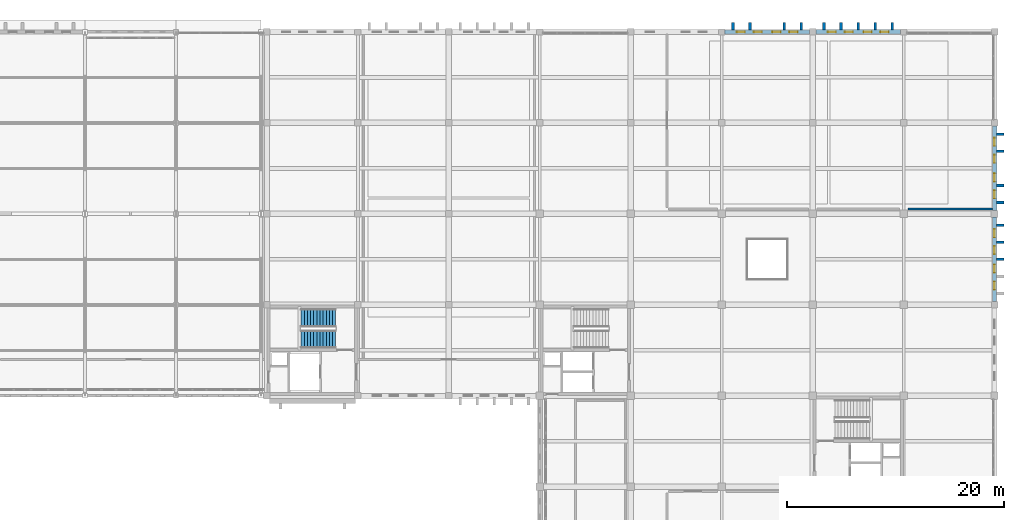
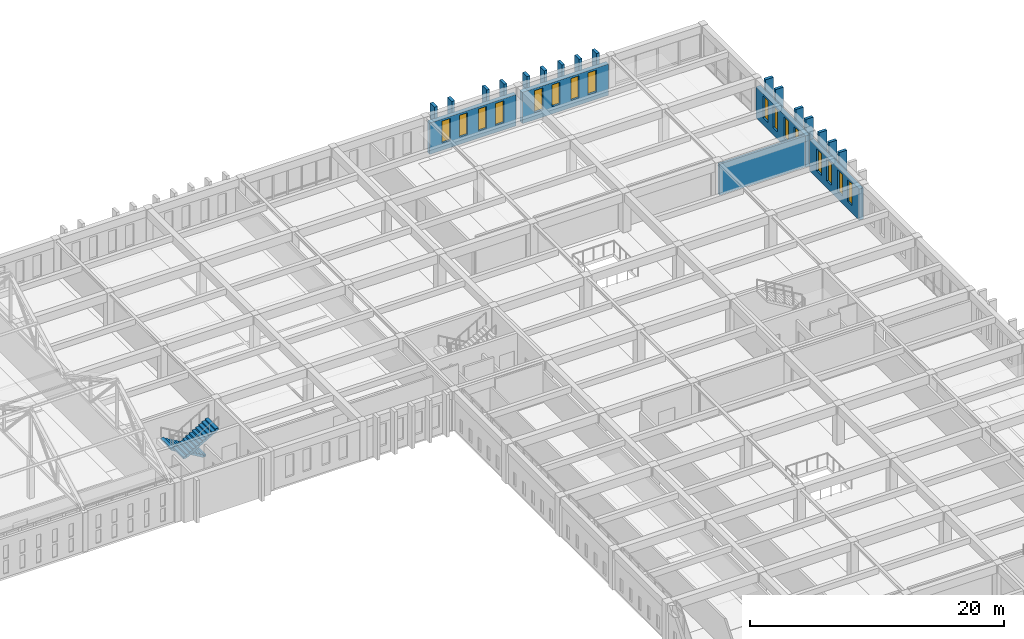
# One storey, part 100 of 110: 21 walls, 16 windows, 2 stair flights, 16 openings, 1 element without a shape of its own.
"""IFC4 building model written with IfcOpenShell, lengths in metres."""

from ifc_helpers import new_model, si_unit, direction, frame, frame_2d, origin, place, context, subcontext, project, spatial, polyline, rectangle, outline, extrude, material, layer, layer_set, type_object, element, fill, aggregate, save


model = new_model("IFC4")

# Units and contexts
model_context = context("Model", 3, precision=1e-05, world=origin(), true_north=direction((0.0, 1.0)))
body_context = subcontext(model_context, "Body", "Model", "MODEL_VIEW")
ifc_project = project(units=[si_unit("LENGTHUNIT", "METRE"), si_unit("AREAUNIT", "SQUARE_METRE"), si_unit("VOLUMEUNIT", "CUBIC_METRE"), si_unit("PLANEANGLEUNIT", "RADIAN"), si_unit("MASSUNIT", "GRAM", prefix="KILO")], contexts=[model_context])

# Site, building, storey
site_placement = place(None, origin())
site = spatial("IfcSite", under=ifc_project, at=site_placement, CompositionType="ELEMENT")
building_placement = place(site_placement, origin())
building = spatial("IfcBuilding", under=site, at=building_placement, Name="Kveldsbrygga Polytechnic", CompositionType="ELEMENT")
storey_placement = place(building_placement, frame((0.0, 0.0, 9.860107421875)))
storey = spatial("IfcBuildingStorey", under=building, at=storey_placement, Name="L02", CompositionType="ELEMENT", Elevation=9.860107421875)

# Wall, openings, windows
ifc_material_1 = material(Name="Fired clay brick masonry M10", Category="masonry")
ifc_layer_1 = layer(ifc_material_1, 0.3798828125)
ifc_layer_set_1 = layer_set([ifc_layer_1], Name="Fired clay brick masonry M10")
wall_type_1 = type_object("IfcWallType", Name="EW-BRICK-380", PredefinedType="SOLIDWALL", material=ifc_layer_set_1)
wall_1_placement = place(storey_placement, frame((143.074951171875, 117.60009765625, 0.0), z_axis=(0.0, 0.0, 1.0), x_axis=(1.0, 0.0, 0.0)))
wall_1 = element("IfcWall", 1, at=wall_1_placement, inside=storey, type_object=wall_type_1, Name="Exterior Brick Wall EW-L02-X-17-14", PredefinedType="SOLIDWALL", context=body_context, shape_type="SweptSolid", body=[
    extrude(rectangle(XDim=7.840087890625, YDim=0.3798828125, at=frame_2d((3.919921875, 0.0))), origin(), (0.0, 0.0, 1.0), 3.010009765625),
])
opening_1_placement = place(wall_1_placement, frame((1.114501953125, 0.0, 0.699951171875)))
opening_1 = element("IfcOpeningElement", 2, at=opening_1_placement, cuts=wall_1, Name="Opening W-27", PredefinedType="OPENING", context=body_context, shape_type="SweptSolid", body=[
    extrude(rectangle(XDim=0.75, YDim=2.10009765625, at=frame_2d((0.375, 1.050048828125))), frame((0.0, 0.199951171875, 0.0), z_axis=(0.0, -1.0, 0.0), x_axis=(1.0, 0.0, 0.0)), (0.0, 0.0, 1.0), 0.39990234375),
])
opening_2_placement = place(wall_1_placement, frame((2.6826171875, 0.0, 0.699951171875)))
opening_2 = element("IfcOpeningElement", 3, at=opening_2_placement, cuts=wall_1, Name="Opening W-27", PredefinedType="OPENING", context=body_context, shape_type="SweptSolid", body=[
    extrude(rectangle(XDim=0.75, YDim=2.10009765625, at=frame_2d((0.375, 1.050048828125))), frame((0.0, 0.199951171875, 0.0), z_axis=(0.0, -1.0, 0.0), x_axis=(1.0, 0.0, 0.0)), (0.0, 0.0, 1.0), 0.39990234375),
])
opening_3_placement = place(wall_1_placement, frame((4.407470703125, 0.0, 0.699951171875)))
opening_3 = element("IfcOpeningElement", 4, at=opening_3_placement, cuts=wall_1, Name="Opening W-27", PredefinedType="OPENING", context=body_context, shape_type="SweptSolid", body=[
    extrude(rectangle(XDim=0.75, YDim=2.10009765625, at=frame_2d((0.375, 1.050048828125))), frame((0.0, 0.199951171875, 0.0), z_axis=(0.0, -1.0, 0.0), x_axis=(1.0, 0.0, 0.0)), (0.0, 0.0, 1.0), 0.39990234375),
])
opening_4_placement = place(wall_1_placement, frame((5.975341796875, 0.0, 0.699951171875)))
opening_4 = element("IfcOpeningElement", 5, at=opening_4_placement, cuts=wall_1, Name="Opening W-27", PredefinedType="OPENING", context=body_context, shape_type="SweptSolid", body=[
    extrude(rectangle(XDim=0.75, YDim=2.10009765625, at=frame_2d((0.375, 1.050048828125))), frame((0.0, 0.199951171875, 0.0), z_axis=(0.0, -1.0, 0.0), x_axis=(1.0, 0.0, 0.0)), (0.0, 0.0, 1.0), 0.39990234375),
])
ifc_material_2 = material(Name="Insulated triple low-E glass", Category="glass")
window_type = type_object("IfcWindowType", Name="WN-ATTIC-075x210", PartitioningType="DOUBLE_PANEL_VERTICAL", PredefinedType="WINDOW", material=ifc_material_2)
window_1_placement = place(opening_1_placement, origin())
window_1 = element("IfcWindow", 6, at=window_1_placement, inside=storey, type_object=window_type, Name="Gothic Lancet Window WIN-L02-X-17-14-1", OverallHeight=2.10009765625, OverallWidth=0.75, PartitioningType="DOUBLE_PANEL_VERTICAL", PredefinedType="WINDOW", context=body_context, shape_type="SweptSolid", body=[
    extrude(rectangle(XDim=0.75, YDim=2.10009765625, at=frame_2d((0.375, 1.050048828125))), frame((0.0, 0.030029296875, 0.0), z_axis=(0.0, -1.0, 0.0), x_axis=(1.0, 0.0, 0.0)), (0.0, 0.0, 1.0), 0.06005859375),
])
fill(opening_1, window_1)
window_2_placement = place(opening_2_placement, origin())
window_2 = element("IfcWindow", 7, at=window_2_placement, inside=storey, type_object=window_type, Name="Gothic Lancet Window WIN-L02-X-17-14-2", OverallHeight=2.10009765625, OverallWidth=0.75, PartitioningType="DOUBLE_PANEL_VERTICAL", PredefinedType="WINDOW", context=body_context, shape_type="SweptSolid", body=[
    extrude(rectangle(XDim=0.75, YDim=2.10009765625, at=frame_2d((0.375, 1.050048828125))), frame((0.0, 0.030029296875, 0.0), z_axis=(0.0, -1.0, 0.0), x_axis=(1.0, 0.0, 0.0)), (0.0, 0.0, 1.0), 0.06005859375),
])
fill(opening_2, window_2)
window_3_placement = place(opening_3_placement, origin())
window_3 = element("IfcWindow", 8, at=window_3_placement, inside=storey, type_object=window_type, Name="Gothic Lancet Window WIN-L02-X-17-14-3", OverallHeight=2.10009765625, OverallWidth=0.75, PartitioningType="DOUBLE_PANEL_VERTICAL", PredefinedType="WINDOW", context=body_context, shape_type="SweptSolid", body=[
    extrude(rectangle(XDim=0.75, YDim=2.10009765625, at=frame_2d((0.375, 1.050048828125))), frame((0.0, 0.030029296875, 0.0), z_axis=(0.0, -1.0, 0.0), x_axis=(1.0, 0.0, 0.0)), (0.0, 0.0, 1.0), 0.06005859375),
])
fill(opening_3, window_3)
window_4_placement = place(opening_4_placement, origin())
window_4 = element("IfcWindow", 9, at=window_4_placement, inside=storey, type_object=window_type, Name="Gothic Lancet Window WIN-L02-X-17-14-4", OverallHeight=2.10009765625, OverallWidth=0.75, PartitioningType="DOUBLE_PANEL_VERTICAL", PredefinedType="WINDOW", context=body_context, shape_type="SweptSolid", body=[
    extrude(rectangle(XDim=0.75, YDim=2.10009765625, at=frame_2d((0.375, 1.050048828125))), frame((0.0, 0.030029296875, 0.0), z_axis=(0.0, -1.0, 0.0), x_axis=(1.0, 0.0, 0.0)), (0.0, 0.0, 1.0), 0.06005859375),
])
fill(opening_4, window_4)

wall_2_placement = place(storey_placement, frame((168.0, 92.695068359375, 0.0), z_axis=(0.0, 0.0, 1.0), x_axis=(0.0, 1.0, 0.0)))
wall_2 = element("IfcWall", 10, at=wall_2_placement, inside=storey, type_object=wall_type_1, Name="Exterior Brick Wall EW-L02-Y-20-11", PredefinedType="SOLIDWALL", context=body_context, shape_type="SweptSolid", body=[
    extrude(rectangle(XDim=7.794921875, YDim=0.3798828125, at=frame_2d((3.8974609375, 0.0))), origin(), (0.0, 0.0, 1.0), 3.0),
])
opening_5_placement = place(wall_2_placement, frame((1.10595703125, 0.0, 0.699951171875)))
opening_5 = element("IfcOpeningElement", 11, at=opening_5_placement, cuts=wall_2, Name="Opening W-27", PredefinedType="OPENING", context=body_context, shape_type="SweptSolid", body=[
    extrude(rectangle(XDim=0.75, YDim=2.10009765625, at=frame_2d((0.375, 1.050048828125))), frame((0.0, 0.199951171875, 0.0), z_axis=(0.0, -1.0, 0.0), x_axis=(1.0, 0.0, 0.0)), (0.0, 0.0, 1.0), 0.39990234375),
])
opening_6_placement = place(wall_2_placement, frame((2.6650390625, 0.0, 0.699951171875)))
opening_6 = element("IfcOpeningElement", 12, at=opening_6_placement, cuts=wall_2, Name="Opening W-27", PredefinedType="OPENING", context=body_context, shape_type="SweptSolid", body=[
    extrude(rectangle(XDim=0.75, YDim=2.10009765625, at=frame_2d((0.375, 1.050048828125))), frame((0.0, 0.199951171875, 0.0), z_axis=(0.0, -1.0, 0.0), x_axis=(1.0, 0.0, 0.0)), (0.0, 0.0, 1.0), 0.39990234375),
])
opening_7_placement = place(wall_2_placement, frame((4.3798828125, 0.0, 0.699951171875)))
opening_7 = element("IfcOpeningElement", 13, at=opening_7_placement, cuts=wall_2, Name="Opening W-27", PredefinedType="OPENING", context=body_context, shape_type="SweptSolid", body=[
    extrude(rectangle(XDim=0.75, YDim=2.10009765625, at=frame_2d((0.375, 1.050048828125))), frame((0.0, 0.199951171875, 0.0), z_axis=(0.0, -1.0, 0.0), x_axis=(1.0, 0.0, 0.0)), (0.0, 0.0, 1.0), 0.39990234375),
])
opening_8_placement = place(wall_2_placement, frame((5.93896484375, 0.0, 0.699951171875)))
opening_8 = element("IfcOpeningElement", 14, at=opening_8_placement, cuts=wall_2, Name="Opening W-27", PredefinedType="OPENING", context=body_context, shape_type="SweptSolid", body=[
    extrude(rectangle(XDim=0.75, YDim=2.10009765625, at=frame_2d((0.375, 1.050048828125))), frame((0.0, 0.199951171875, 0.0), z_axis=(0.0, -1.0, 0.0), x_axis=(1.0, 0.0, 0.0)), (0.0, 0.0, 1.0), 0.39990234375),
])
window_5_placement = place(opening_5_placement, origin())
window_5 = element("IfcWindow", 15, at=window_5_placement, inside=storey, type_object=window_type, Name="Gothic Lancet Window WIN-L02-Y-20-11-1", OverallHeight=2.10009765625, OverallWidth=0.75, PartitioningType="DOUBLE_PANEL_VERTICAL", PredefinedType="WINDOW", context=body_context, shape_type="SweptSolid", body=[
    extrude(rectangle(XDim=0.75, YDim=2.10009765625, at=frame_2d((0.375, 1.050048828125))), frame((0.0, 0.030029296875, 0.0), z_axis=(0.0, -1.0, 0.0), x_axis=(1.0, 0.0, 0.0)), (0.0, 0.0, 1.0), 0.06005859375),
])
fill(opening_5, window_5)
window_6_placement = place(opening_6_placement, origin())
window_6 = element("IfcWindow", 16, at=window_6_placement, inside=storey, type_object=window_type, Name="Gothic Lancet Window WIN-L02-Y-20-11-2", OverallHeight=2.10009765625, OverallWidth=0.75, PartitioningType="DOUBLE_PANEL_VERTICAL", PredefinedType="WINDOW", context=body_context, shape_type="SweptSolid", body=[
    extrude(rectangle(XDim=0.75, YDim=2.10009765625, at=frame_2d((0.375, 1.050048828125))), frame((0.0, 0.030029296875, 0.0), z_axis=(0.0, -1.0, 0.0), x_axis=(1.0, 0.0, 0.0)), (0.0, 0.0, 1.0), 0.06005859375),
])
fill(opening_6, window_6)
window_7_placement = place(opening_7_placement, origin())
window_7 = element("IfcWindow", 17, at=window_7_placement, inside=storey, type_object=window_type, Name="Gothic Lancet Window WIN-L02-Y-20-11-3", OverallHeight=2.10009765625, OverallWidth=0.75, PartitioningType="DOUBLE_PANEL_VERTICAL", PredefinedType="WINDOW", context=body_context, shape_type="SweptSolid", body=[
    extrude(rectangle(XDim=0.75, YDim=2.10009765625, at=frame_2d((0.375, 1.050048828125))), frame((0.0, 0.030029296875, 0.0), z_axis=(0.0, -1.0, 0.0), x_axis=(1.0, 0.0, 0.0)), (0.0, 0.0, 1.0), 0.06005859375),
])
fill(opening_7, window_7)
window_8_placement = place(opening_8_placement, origin())
window_8 = element("IfcWindow", 18, at=window_8_placement, inside=storey, type_object=window_type, Name="Gothic Lancet Window WIN-L02-Y-20-11-4", OverallHeight=2.10009765625, OverallWidth=0.75, PartitioningType="DOUBLE_PANEL_VERTICAL", PredefinedType="WINDOW", context=body_context, shape_type="SweptSolid", body=[
    extrude(rectangle(XDim=0.75, YDim=2.10009765625, at=frame_2d((0.375, 1.050048828125))), frame((0.0, 0.030029296875, 0.0), z_axis=(0.0, -1.0, 0.0), x_axis=(1.0, 0.0, 0.0)), (0.0, 0.0, 1.0), 0.06005859375),
])
fill(opening_8, window_8)

ifc_layer_2 = layer(ifc_material_1, 0.39990234375)
ifc_layer_set_2 = layer_set([ifc_layer_2], Name="Fired clay brick masonry M10")
wall_type_2 = type_object("IfcWallType", Name="EW-BRICK-400", PredefinedType="SOLIDWALL", material=ifc_layer_set_2)
wall_3_placement = place(storey_placement, frame((151.485107421875, 117.60009765625, 0.0), z_axis=(0.0, 0.0, 1.0), x_axis=(1.0, 0.0, 0.0)))
wall_3 = element("IfcWall", 19, at=wall_3_placement, inside=storey, type_object=wall_type_2, Name="Exterior Brick Wall EW-L02-X-18-14", PredefinedType="SOLIDWALL", context=body_context, shape_type="SweptSolid", body=[
    extrude(rectangle(XDim=7.83984375, YDim=0.39990234375, at=frame_2d((3.919921875, 0.0))), origin(), (0.0, 0.0, 1.0), 3.010009765625),
])
opening_9_placement = place(wall_3_placement, frame((1.114501953125, 0.0, 0.699951171875)))
opening_9 = element("IfcOpeningElement", 20, at=opening_9_placement, cuts=wall_3, Name="Opening W-27", PredefinedType="OPENING", context=body_context, shape_type="SweptSolid", body=[
    extrude(rectangle(XDim=0.75, YDim=2.10009765625, at=frame_2d((0.375, 1.050048828125))), frame((0.0, 0.2099609375, 0.0), z_axis=(0.0, -1.0, 0.0), x_axis=(1.0, 0.0, 0.0)), (0.0, 0.0, 1.0), 0.419921875),
])
opening_10_placement = place(wall_3_placement, frame((2.6826171875, 0.0, 0.699951171875)))
opening_10 = element("IfcOpeningElement", 21, at=opening_10_placement, cuts=wall_3, Name="Opening W-27", PredefinedType="OPENING", context=body_context, shape_type="SweptSolid", body=[
    extrude(rectangle(XDim=0.75, YDim=2.10009765625, at=frame_2d((0.375, 1.050048828125))), frame((0.0, 0.2099609375, 0.0), z_axis=(0.0, -1.0, 0.0), x_axis=(1.0, 0.0, 0.0)), (0.0, 0.0, 1.0), 0.419921875),
])
opening_11_placement = place(wall_3_placement, frame((4.407470703125, 0.0, 0.699951171875)))
opening_11 = element("IfcOpeningElement", 22, at=opening_11_placement, cuts=wall_3, Name="Opening W-27", PredefinedType="OPENING", context=body_context, shape_type="SweptSolid", body=[
    extrude(rectangle(XDim=0.75, YDim=2.10009765625, at=frame_2d((0.375, 1.050048828125))), frame((0.0, 0.2099609375, 0.0), z_axis=(0.0, -1.0, 0.0), x_axis=(1.0, 0.0, 0.0)), (0.0, 0.0, 1.0), 0.419921875),
])
opening_12_placement = place(wall_3_placement, frame((5.975341796875, 0.0, 0.699951171875)))
opening_12 = element("IfcOpeningElement", 23, at=opening_12_placement, cuts=wall_3, Name="Opening W-27", PredefinedType="OPENING", context=body_context, shape_type="SweptSolid", body=[
    extrude(rectangle(XDim=0.75, YDim=2.10009765625, at=frame_2d((0.375, 1.050048828125))), frame((0.0, 0.2099609375, 0.0), z_axis=(0.0, -1.0, 0.0), x_axis=(1.0, 0.0, 0.0)), (0.0, 0.0, 1.0), 0.419921875),
])
window_9_placement = place(opening_9_placement, origin())
window_9 = element("IfcWindow", 24, at=window_9_placement, inside=storey, type_object=window_type, Name="Gothic Lancet Window WIN-L02-X-18-14-1", OverallHeight=2.10009765625, OverallWidth=0.75, PartitioningType="DOUBLE_PANEL_VERTICAL", PredefinedType="WINDOW", context=body_context, shape_type="SweptSolid", body=[
    extrude(rectangle(XDim=0.75, YDim=2.10009765625, at=frame_2d((0.375, 1.050048828125))), frame((0.0, 0.030029296875, 0.0), z_axis=(0.0, -1.0, 0.0), x_axis=(1.0, 0.0, 0.0)), (0.0, 0.0, 1.0), 0.06005859375),
])
fill(opening_9, window_9)
window_10_placement = place(opening_10_placement, origin())
window_10 = element("IfcWindow", 25, at=window_10_placement, inside=storey, type_object=window_type, Name="Gothic Lancet Window WIN-L02-X-18-14-2", OverallHeight=2.10009765625, OverallWidth=0.75, PartitioningType="DOUBLE_PANEL_VERTICAL", PredefinedType="WINDOW", context=body_context, shape_type="SweptSolid", body=[
    extrude(rectangle(XDim=0.75, YDim=2.10009765625, at=frame_2d((0.375, 1.050048828125))), frame((0.0, 0.030029296875, 0.0), z_axis=(0.0, -1.0, 0.0), x_axis=(1.0, 0.0, 0.0)), (0.0, 0.0, 1.0), 0.06005859375),
])
fill(opening_10, window_10)
window_11_placement = place(opening_11_placement, origin())
window_11 = element("IfcWindow", 26, at=window_11_placement, inside=storey, type_object=window_type, Name="Gothic Lancet Window WIN-L02-X-18-14-3", OverallHeight=2.10009765625, OverallWidth=0.75, PartitioningType="DOUBLE_PANEL_VERTICAL", PredefinedType="WINDOW", context=body_context, shape_type="SweptSolid", body=[
    extrude(rectangle(XDim=0.75, YDim=2.10009765625, at=frame_2d((0.375, 1.050048828125))), frame((0.0, 0.030029296875, 0.0), z_axis=(0.0, -1.0, 0.0), x_axis=(1.0, 0.0, 0.0)), (0.0, 0.0, 1.0), 0.06005859375),
])
fill(opening_11, window_11)
window_12_placement = place(opening_12_placement, origin())
window_12 = element("IfcWindow", 27, at=window_12_placement, inside=storey, type_object=window_type, Name="Gothic Lancet Window WIN-L02-X-18-14-4", OverallHeight=2.10009765625, OverallWidth=0.75, PartitioningType="DOUBLE_PANEL_VERTICAL", PredefinedType="WINDOW", context=body_context, shape_type="SweptSolid", body=[
    extrude(rectangle(XDim=0.75, YDim=2.10009765625, at=frame_2d((0.375, 1.050048828125))), frame((0.0, 0.030029296875, 0.0), z_axis=(0.0, -1.0, 0.0), x_axis=(1.0, 0.0, 0.0)), (0.0, 0.0, 1.0), 0.06005859375),
])
fill(opening_12, window_12)

wall_4_placement = place(storey_placement, frame((168.0, 101.110107421875, 0.0), z_axis=(0.0, 0.0, 1.0), x_axis=(0.0, 1.0, 0.0)))
wall_4 = element("IfcWall", 28, at=wall_4_placement, inside=storey, type_object=wall_type_2, Name="Exterior Brick Wall EW-L02-Y-20-12", PredefinedType="SOLIDWALL", context=body_context, shape_type="SweptSolid", body=[
    extrude(rectangle(XDim=7.81494140625, YDim=0.39990234375, at=frame_2d((3.907470703125, 0.0))), origin(), (0.0, 0.0, 1.0), 3.0),
])
opening_13_placement = place(wall_4_placement, frame((1.10986328125, 0.0, 0.699951171875)))
opening_13 = element("IfcOpeningElement", 29, at=opening_13_placement, cuts=wall_4, Name="Opening W-27", PredefinedType="OPENING", context=body_context, shape_type="SweptSolid", body=[
    extrude(rectangle(XDim=0.75, YDim=2.10009765625, at=frame_2d((0.375, 1.050048828125))), frame((0.0, 0.2099609375, 0.0), z_axis=(0.0, -1.0, 0.0), x_axis=(1.0, 0.0, 0.0)), (0.0, 0.0, 1.0), 0.419921875),
])
opening_14_placement = place(wall_4_placement, frame((2.6728515625, 0.0, 0.699951171875)))
opening_14 = element("IfcOpeningElement", 30, at=opening_14_placement, cuts=wall_4, Name="Opening W-27", PredefinedType="OPENING", context=body_context, shape_type="SweptSolid", body=[
    extrude(rectangle(XDim=0.75, YDim=2.10009765625, at=frame_2d((0.375, 1.050048828125))), frame((0.0, 0.2099609375, 0.0), z_axis=(0.0, -1.0, 0.0), x_axis=(1.0, 0.0, 0.0)), (0.0, 0.0, 1.0), 0.419921875),
])
opening_15_placement = place(wall_4_placement, frame((4.39208984375, 0.0, 0.699951171875)))
opening_15 = element("IfcOpeningElement", 31, at=opening_15_placement, cuts=wall_4, Name="Opening W-27", PredefinedType="OPENING", context=body_context, shape_type="SweptSolid", body=[
    extrude(rectangle(XDim=0.75, YDim=2.10009765625, at=frame_2d((0.375, 1.050048828125))), frame((0.0, 0.2099609375, 0.0), z_axis=(0.0, -1.0, 0.0), x_axis=(1.0, 0.0, 0.0)), (0.0, 0.0, 1.0), 0.419921875),
])
opening_16_placement = place(wall_4_placement, frame((5.955078125, 0.0, 0.699951171875)))
opening_16 = element("IfcOpeningElement", 32, at=opening_16_placement, cuts=wall_4, Name="Opening W-27", PredefinedType="OPENING", context=body_context, shape_type="SweptSolid", body=[
    extrude(rectangle(XDim=0.75, YDim=2.10009765625, at=frame_2d((0.375, 1.050048828125))), frame((0.0, 0.2099609375, 0.0), z_axis=(0.0, -1.0, 0.0), x_axis=(1.0, 0.0, 0.0)), (0.0, 0.0, 1.0), 0.419921875),
])
window_13_placement = place(opening_13_placement, origin())
window_13 = element("IfcWindow", 33, at=window_13_placement, inside=storey, type_object=window_type, Name="Gothic Lancet Window WIN-L02-Y-20-12-1", OverallHeight=2.10009765625, OverallWidth=0.75, PartitioningType="DOUBLE_PANEL_VERTICAL", PredefinedType="WINDOW", context=body_context, shape_type="SweptSolid", body=[
    extrude(rectangle(XDim=0.75, YDim=2.10009765625, at=frame_2d((0.375, 1.050048828125))), frame((0.0, 0.030029296875, 0.0), z_axis=(0.0, -1.0, 0.0), x_axis=(1.0, 0.0, 0.0)), (0.0, 0.0, 1.0), 0.06005859375),
])
fill(opening_13, window_13)
window_14_placement = place(opening_14_placement, origin())
window_14 = element("IfcWindow", 34, at=window_14_placement, inside=storey, type_object=window_type, Name="Gothic Lancet Window WIN-L02-Y-20-12-2", OverallHeight=2.10009765625, OverallWidth=0.75, PartitioningType="DOUBLE_PANEL_VERTICAL", PredefinedType="WINDOW", context=body_context, shape_type="SweptSolid", body=[
    extrude(rectangle(XDim=0.75, YDim=2.10009765625, at=frame_2d((0.375, 1.050048828125))), frame((0.0, 0.030029296875, 0.0), z_axis=(0.0, -1.0, 0.0), x_axis=(1.0, 0.0, 0.0)), (0.0, 0.0, 1.0), 0.06005859375),
])
fill(opening_14, window_14)
window_15_placement = place(opening_15_placement, origin())
window_15 = element("IfcWindow", 35, at=window_15_placement, inside=storey, type_object=window_type, Name="Gothic Lancet Window WIN-L02-Y-20-12-3", OverallHeight=2.10009765625, OverallWidth=0.75, PartitioningType="DOUBLE_PANEL_VERTICAL", PredefinedType="WINDOW", context=body_context, shape_type="SweptSolid", body=[
    extrude(rectangle(XDim=0.75, YDim=2.10009765625, at=frame_2d((0.375, 1.050048828125))), frame((0.0, 0.030029296875, 0.0), z_axis=(0.0, -1.0, 0.0), x_axis=(1.0, 0.0, 0.0)), (0.0, 0.0, 1.0), 0.06005859375),
])
fill(opening_15, window_15)
window_16_placement = place(opening_16_placement, origin())
window_16 = element("IfcWindow", 36, at=window_16_placement, inside=storey, type_object=window_type, Name="Gothic Lancet Window WIN-L02-Y-20-12-4", OverallHeight=2.10009765625, OverallWidth=0.75, PartitioningType="DOUBLE_PANEL_VERTICAL", PredefinedType="WINDOW", context=body_context, shape_type="SweptSolid", body=[
    extrude(rectangle(XDim=0.75, YDim=2.10009765625, at=frame_2d((0.375, 1.050048828125))), frame((0.0, 0.030029296875, 0.0), z_axis=(0.0, -1.0, 0.0), x_axis=(1.0, 0.0, 0.0)), (0.0, 0.0, 1.0), 0.06005859375),
])
fill(opening_16, window_16)

# Walls
ifc_layer_3 = layer(ifc_material_1, 0.260009765625)
ifc_layer_set_3 = layer_set([ifc_layer_3], Name="Fired clay brick masonry M10")
wall_type_3 = type_object("IfcWallType", Name="EW-BUTT-260", PredefinedType="SOLIDWALL", material=ifc_layer_set_3)
for number, where, z_axis, x_axis, name in (
    (37, (143.85009765625, 117.764892578125, 0.0), (0.0, 0.0, 1.0), (0.0, 1.0, 0.0), "Gothic Brick Buttress Pier BUTT-L02-X-17-14-1"),
    (38, (145.419921875, 117.764892578125, 0.0), (0.0, 0.0, 1.0), (0.0, 1.0, 0.0), "Gothic Brick Buttress Pier BUTT-L02-X-17-14-2"),
    (39, (148.580078125, 117.764892578125, 0.0), (0.0, 0.0, 1.0), (0.0, 1.0, 0.0), "Gothic Brick Buttress Pier BUTT-L02-X-17-14-4"),
    (40, (150.14990234375, 117.764892578125, 0.0), (0.0, 0.0, 1.0), (0.0, 1.0, 0.0), "Gothic Brick Buttress Pier BUTT-L02-X-17-14-5"),
    (41, (152.25, 117.764892578125, 0.0), (0.0, 0.0, 1.0), (0.0, 1.0, 0.0), "Gothic Brick Buttress Pier BUTT-L02-X-18-14-1"),
    (42, (153.820068359375, 117.764892578125, 0.0), (0.0, 0.0, 1.0), (0.0, 1.0, 0.0), "Gothic Brick Buttress Pier BUTT-L02-X-18-14-2"),
    (43, (155.39990234375, 117.764892578125, 0.0), (0.0, 0.0, 1.0), (0.0, 1.0, 0.0), "Gothic Brick Buttress Pier BUTT-L02-X-18-14-3"),
    (44, (156.97998046875, 117.764892578125, 0.0), (0.0, 0.0, 1.0), (0.0, 1.0, 0.0), "Gothic Brick Buttress Pier BUTT-L02-X-18-14-4"),
    (45, (158.550048828125, 117.764892578125, 0.0), (0.0, 0.0, 1.0), (0.0, 1.0, 0.0), "Gothic Brick Buttress Pier BUTT-L02-X-18-14-5"),
):
    element("IfcWall", number, at=place(storey_placement, frame(where, z_axis=z_axis, x_axis=x_axis)), inside=storey, type_object=wall_type_3, Name=name, PredefinedType="SOLIDWALL", context=body_context, shape_type="SweptSolid", body=[
        extrude(rectangle(XDim=0.7001953125, YDim=0.260009765625, at=frame_2d((0.35009765625, 0.0))), origin(), (0.0, 0.0, 1.0), 4.079833984375),
    ])
for number, where, z_axis, x_axis, name in (
    (46, (168.1650390625, 96.60009765625, 0.0), (0.0, 0.0, 1.0), (1.0, 0.0, 0.0), "Gothic Brick Buttress Pier BUTT-L02-Y-20-11-3"),
    (47, (168.1650390625, 98.179931640625, 0.0), (0.0, 0.0, 1.0), (1.0, 0.0, 0.0), "Gothic Brick Buttress Pier BUTT-L02-Y-20-11-4"),
    (48, (168.1650390625, 99.75, 0.0), (0.0, 0.0, 1.0), (1.0, 0.0, 0.0), "Gothic Brick Buttress Pier BUTT-L02-Y-20-11-5"),
    (49, (168.1650390625, 101.85009765625, 0.0), (0.0, 0.0, 1.0), (1.0, 0.0, 0.0), "Gothic Brick Buttress Pier BUTT-L02-Y-20-12-1"),
    (50, (168.1650390625, 103.419921875, 0.0), (0.0, 0.0, 1.0), (1.0, 0.0, 0.0), "Gothic Brick Buttress Pier BUTT-L02-Y-20-12-2"),
    (51, (168.1650390625, 106.580078125, 0.0), (0.0, 0.0, 1.0), (1.0, 0.0, 0.0), "Gothic Brick Buttress Pier BUTT-L02-Y-20-12-4"),
    (52, (168.1650390625, 108.14990234375, 0.0), (0.0, 0.0, 1.0), (1.0, 0.0, 0.0), "Gothic Brick Buttress Pier BUTT-L02-Y-20-12-5"),
):
    element("IfcWall", number, at=place(storey_placement, frame(where, z_axis=z_axis, x_axis=x_axis)), inside=storey, type_object=wall_type_3, Name=name, PredefinedType="SOLIDWALL", context=body_context, shape_type="SweptSolid", body=[
        extrude(rectangle(XDim=0.699951171875, YDim=0.260009765625, at=frame_2d((0.35009765625, 0.0))), origin(), (0.0, 0.0, 1.0), 4.079833984375),
    ])
ifc_layer_4 = layer(ifc_material_1, 0.199951171875)
ifc_layer_set_4 = layer_set([ifc_layer_4], Name="Fired clay brick masonry M10")
wall_type_4 = type_object("IfcWallType", Name="IW-LAB-200", PredefinedType="PARTITIONING", material=ifc_layer_set_4)
wall_5_placement = place(storey_placement, frame((160.0, 101.25, 0.0), z_axis=(0.0, 0.0, 1.0), x_axis=(1.0, 0.0, 0.0)))
element("IfcWall", 53, at=wall_5_placement, inside=storey, type_object=wall_type_4, Name="Partition Wall IW-SP-L02-LAB22-S4", PredefinedType="PARTITIONING", context=body_context, shape_type="SweptSolid", body=[
    extrude(rectangle(XDim=7.820068359375, YDim=0.199951171875, at=frame_2d((3.91015625, 0.0))), origin(), (0.0, 0.0, 1.0), 3.0),
])

# Stair, stair flights
ifc_material_3 = material(Name="Concrete C35/45", Category="concrete")
stair_type = type_object("IfcStairType", Name="STR-CORE-408", PredefinedType="HALF_TURN_STAIR", material=ifc_material_3)
stair_placement = place(storey_placement, origin())
stair = element("IfcStair", 54, at=stair_placement, inside=storey, type_object=stair_type, Name="L02 Core C5 Escape Stair ST-5", PredefinedType="HALF_TURN_STAIR")
stair_flight_type = type_object("IfcStairFlightType", Name="SFL-CORE-12R", PredefinedType="STRAIGHT", material=ifc_material_3)
stair_flight_1_placement = place(storey_placement, frame((107.14990234375, 91.175048828125, 0.0), z_axis=(0.0, 0.0, 1.0), x_axis=(-1.0, 0.0, 0.0)))
stair_flight_1 = element("IfcStairFlight", 55, at=stair_flight_1_placement, type_object=stair_flight_type, Name="ST-5 flight 1", NumberOfRisers=12, NumberOfTreads=11, PredefinedType="STRAIGHT", RiserHeight=0.17, TreadLength=0.29, context=body_context, shape_type="SweptSolid", body=[
    extrude(outline(polyline([(0.0, 0.0), (0.0, 0.169921875), (0.2900390625, 0.169921875), (0.2900390625, 0.340087890625), (0.580078125, 0.340087890625), (0.580078125, 0.510009765625), (0.8701171875, 0.510009765625), (0.8701171875, 0.679931640625), (1.159912109375, 0.679931640625), (1.159912109375, 0.85009765625), (1.449951171875, 0.85009765625), (1.449951171875, 1.02001953125), (1.739990234375, 1.02001953125), (1.739990234375, 1.18994140625), (2.030029296875, 1.18994140625), (2.030029296875, 1.360107421875), (2.320068359375, 1.360107421875), (2.320068359375, 1.530029296875), (2.610107421875, 1.530029296875), (2.610107421875, 1.699951171875), (2.89990234375, 1.699951171875), (2.89990234375, 1.8701171875), (3.18994140625, 1.8701171875), (3.18994140625, 2.0400390625), (3.18994140625, 1.6845703125), (0.316162109375, 0.0), (0.0, 0.0)])), frame((0.0, 0.824951171875, 0.0), z_axis=(0.0, -1.0, 0.0), x_axis=(1.0, 0.0, 0.0)), (0.0, 0.0, 1.0), 1.64990234375),
])
stair_flight_2_placement = place(storey_placement, frame((103.9599609375, 89.22509765625, 2.039794921875), z_axis=(0.0, 0.0, 1.0), x_axis=(1.0, 0.0, 0.0)))
stair_flight_2 = element("IfcStairFlight", 56, at=stair_flight_2_placement, type_object=stair_flight_type, Name="ST-5 flight 2", NumberOfRisers=12, NumberOfTreads=11, PredefinedType="STRAIGHT", RiserHeight=0.17, TreadLength=0.29, context=body_context, shape_type="SweptSolid", body=[
    extrude(outline(polyline([(0.0, 0.0), (0.0, 0.169921875), (0.2900390625, 0.169921875), (0.2900390625, 0.340087890625), (0.580078125, 0.340087890625), (0.580078125, 0.510009765625), (0.8701171875, 0.510009765625), (0.8701171875, 0.679931640625), (1.159912109375, 0.679931640625), (1.159912109375, 0.85009765625), (1.449951171875, 0.85009765625), (1.449951171875, 1.02001953125), (1.739990234375, 1.02001953125), (1.739990234375, 1.18994140625), (2.030029296875, 1.18994140625), (2.030029296875, 1.360107421875), (2.320068359375, 1.360107421875), (2.320068359375, 1.530029296875), (2.610107421875, 1.530029296875), (2.610107421875, 1.699951171875), (2.89990234375, 1.699951171875), (2.89990234375, 1.8701171875), (3.18994140625, 1.8701171875), (3.18994140625, 2.0400390625), (3.18994140625, 1.6845703125), (0.316162109375, 0.0), (0.0, 0.0)])), frame((0.0, 0.824951171875, 0.0), z_axis=(0.0, -1.0, 0.0), x_axis=(1.0, 0.0, 0.0)), (0.0, 0.0, 1.0), 1.64990234375),
])
aggregate(stair, [stair_flight_1, stair_flight_2])

save(model, "model.ifc")
